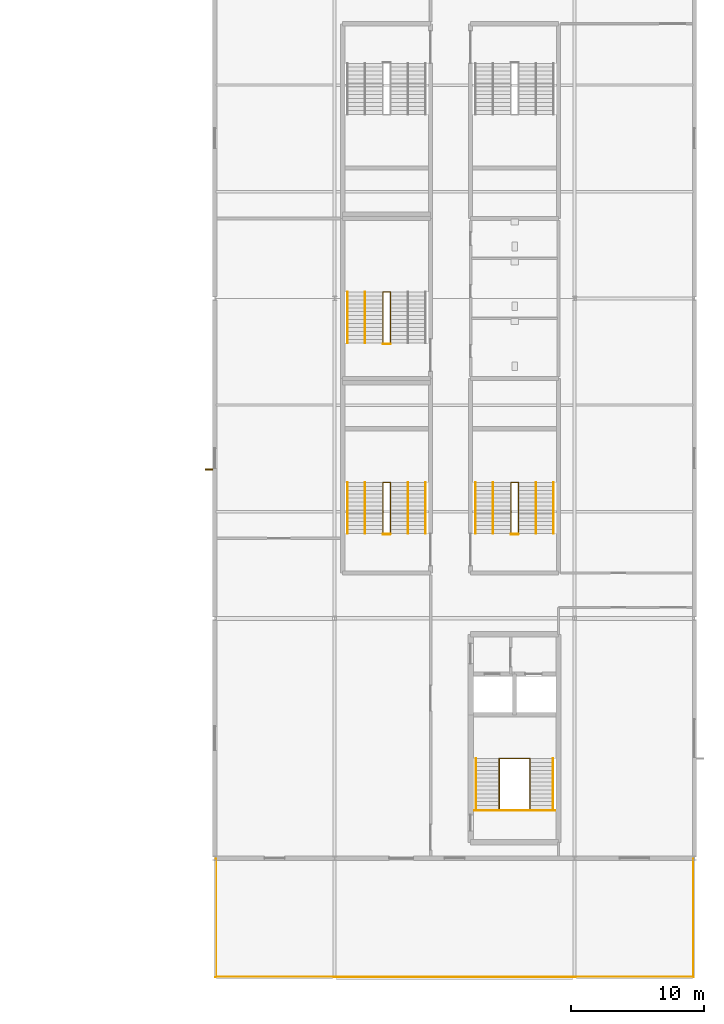
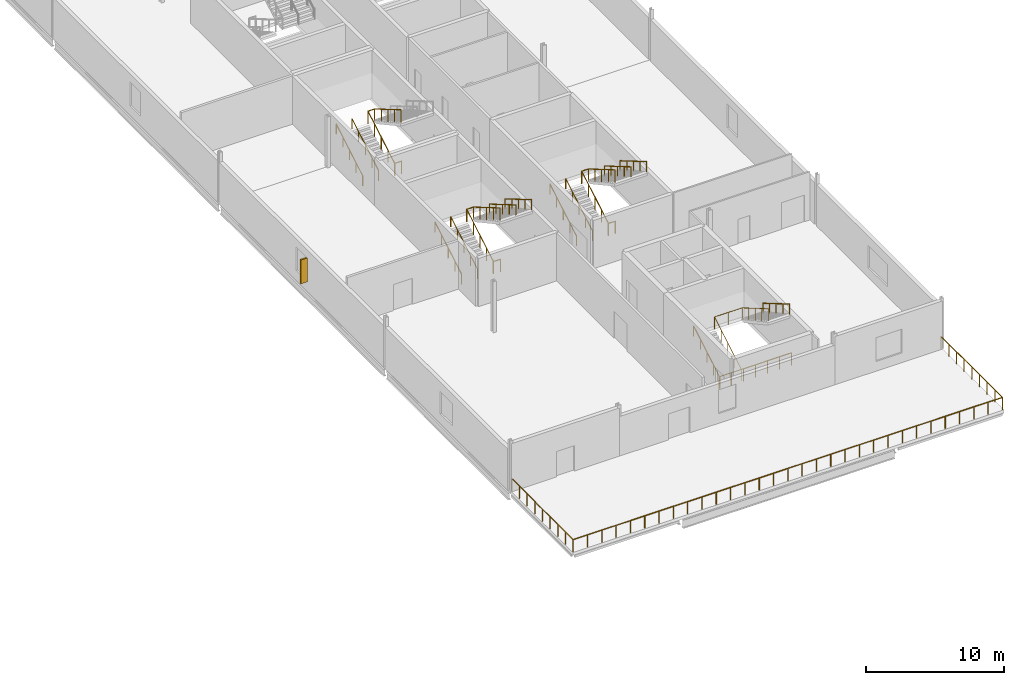
# One storey, part 25 of 28: 21 railings, 1 shading device.
"""IFC4 building model written with IfcOpenShell, lengths in metres."""

from ifc_helpers import new_model, si_unit, direction, frame, origin, origin_2d, place, context, subcontext, project, spatial, rectangle, circle, extrude, material, type_object, element, save


model = new_model("IFC4")

# Units and contexts
model_context = context("Model", 3, precision=1e-05, world=origin(), true_north=direction((0.0, 1.0)))
body_context = subcontext(model_context, "Body", "Model", "MODEL_VIEW")
ifc_project = project(units=[si_unit("LENGTHUNIT", "METRE"), si_unit("AREAUNIT", "SQUARE_METRE"), si_unit("VOLUMEUNIT", "CUBIC_METRE"), si_unit("PLANEANGLEUNIT", "RADIAN"), si_unit("MASSUNIT", "GRAM", prefix="KILO")], contexts=[model_context])

# Site, building, storey
site_placement = place(None, origin())
site = spatial("IfcSite", under=ifc_project, at=site_placement, CompositionType="ELEMENT")
building_placement = place(site_placement, origin())
building = spatial("IfcBuilding", under=site, at=building_placement, Name="Kisiwana Market Hall", CompositionType="ELEMENT")
storey_placement = place(building_placement, frame((0.0, 0.0, 49.5)))
storey = spatial("IfcBuildingStorey", under=building, at=storey_placement, Name="L11", CompositionType="ELEMENT", Elevation=49.5)

# Railings
ifc_material_1 = material(Name="Steel S275", Category="steel")
railing_type_1 = type_object("IfcRailingType", Name="RL-BALUST-1100", PredefinedType="BALUSTRADE", material=ifc_material_1)
railing_1_placement = place(storey_placement, frame((162.080078125, 17.949951171875, 0.0)))
element("IfcRailing", 1, at=railing_1_placement, inside=storey, type_object=railing_type_1, Name="L11 SE Sky Garden Guardrail 1100 RL-1704", PredefinedType="BALUSTRADE", context=body_context, shape_type="SweptSolid", body=[
    extrude(circle(Radius=0.02392578125, at=origin_2d()), frame((0.0, 0.0, 1.076171875), z_axis=(0.0, -1.0, 0.0), x_axis=(1.0, 0.0, 0.0)), (0.0, 0.0, 1.0), 8.869873046875),
    extrude(circle(Radius=0.02392578125, at=origin_2d()), frame((0.0, -8.869873046875, 1.076171875), z_axis=(1.0, 0.0, 0.0), x_axis=(0.0, 1.0, 0.0)), (0.0, 0.0, 1.0), 35.83984375),
    extrude(circle(Radius=0.02392578125, at=origin_2d()), frame((35.83984375, -8.869873046875, 1.076171875), z_axis=(0.0, 1.0, 0.0), x_axis=(-1.0, 0.0, 0.0)), (0.0, 0.0, 1.0), 8.869873046875),
    extrude(circle(Radius=0.02099609375, at=origin_2d()), origin(), (0.0, 0.0, 1.0), 1.052001953125),
    extrude(circle(Radius=0.02099609375, at=origin_2d()), frame((0.0, -1.108642578125, 0.0)), (0.0, 0.0, 1.0), 1.052001953125),
    extrude(circle(Radius=0.02099609375, at=origin_2d()), frame((0.0, -2.217529296875, 0.0)), (0.0, 0.0, 1.0), 1.052001953125),
    extrude(circle(Radius=0.02099609375, at=origin_2d()), frame((0.0, -3.326171875, 0.0)), (0.0, 0.0, 1.0), 1.052001953125),
    extrude(circle(Radius=0.02099609375, at=origin_2d()), frame((0.0, -4.43505859375, 0.0)), (0.0, 0.0, 1.0), 1.052001953125),
    extrude(circle(Radius=0.02099609375, at=origin_2d()), frame((0.0, -5.543701171875, 0.0)), (0.0, 0.0, 1.0), 1.052001953125),
    extrude(circle(Radius=0.02099609375, at=origin_2d()), frame((0.0, -6.65234375, 0.0)), (0.0, 0.0, 1.0), 1.052001953125),
    extrude(circle(Radius=0.02099609375, at=origin_2d()), frame((0.0, -7.76123046875, 0.0)), (0.0, 0.0, 1.0), 1.052001953125),
    extrude(circle(Radius=0.02099609375, at=origin_2d()), frame((0.0, -8.869873046875, 0.0)), (0.0, 0.0, 1.0), 1.052001953125),
    extrude(circle(Radius=0.02099609375, at=origin_2d()), frame((1.194580078125, -8.869873046875, 0.0)), (0.0, 0.0, 1.0), 1.052001953125),
    extrude(circle(Radius=0.02099609375, at=origin_2d()), frame((2.389404296875, -8.869873046875, 0.0)), (0.0, 0.0, 1.0), 1.052001953125),
    extrude(circle(Radius=0.02099609375, at=origin_2d()), frame((3.583984375, -8.869873046875, 0.0)), (0.0, 0.0, 1.0), 1.052001953125),
    extrude(circle(Radius=0.02099609375, at=origin_2d()), frame((4.778564453125, -8.869873046875, 0.0)), (0.0, 0.0, 1.0), 1.052001953125),
    extrude(circle(Radius=0.02099609375, at=origin_2d()), frame((5.973388671875, -8.869873046875, 0.0)), (0.0, 0.0, 1.0), 1.052001953125),
    extrude(circle(Radius=0.02099609375, at=origin_2d()), frame((7.16796875, -8.869873046875, 0.0)), (0.0, 0.0, 1.0), 1.052001953125),
    extrude(circle(Radius=0.02099609375, at=origin_2d()), frame((8.362548828125, -8.869873046875, 0.0)), (0.0, 0.0, 1.0), 1.052001953125),
    extrude(circle(Radius=0.02099609375, at=origin_2d()), frame((9.557373046875, -8.869873046875, 0.0)), (0.0, 0.0, 1.0), 1.052001953125),
    extrude(circle(Radius=0.02099609375, at=origin_2d()), frame((10.751953125, -8.869873046875, 0.0)), (0.0, 0.0, 1.0), 1.052001953125),
    extrude(circle(Radius=0.02099609375, at=origin_2d()), frame((11.946533203125, -8.869873046875, 0.0)), (0.0, 0.0, 1.0), 1.052001953125),
    extrude(circle(Radius=0.02099609375, at=origin_2d()), frame((13.141357421875, -8.869873046875, 0.0)), (0.0, 0.0, 1.0), 1.052001953125),
    extrude(circle(Radius=0.02099609375, at=origin_2d()), frame((14.3359375, -8.869873046875, 0.0)), (0.0, 0.0, 1.0), 1.052001953125),
    extrude(circle(Radius=0.02099609375, at=origin_2d()), frame((15.530517578125, -8.869873046875, 0.0)), (0.0, 0.0, 1.0), 1.052001953125),
    extrude(circle(Radius=0.02099609375, at=origin_2d()), frame((16.725341796875, -8.869873046875, 0.0)), (0.0, 0.0, 1.0), 1.052001953125),
    extrude(circle(Radius=0.02099609375, at=origin_2d()), frame((17.919921875, -8.869873046875, 0.0)), (0.0, 0.0, 1.0), 1.052001953125),
    extrude(circle(Radius=0.02099609375, at=origin_2d()), frame((19.114501953125, -8.869873046875, 0.0)), (0.0, 0.0, 1.0), 1.052001953125),
    extrude(circle(Radius=0.02099609375, at=origin_2d()), frame((20.309326171875, -8.869873046875, 0.0)), (0.0, 0.0, 1.0), 1.052001953125),
    extrude(circle(Radius=0.02099609375, at=origin_2d()), frame((21.50390625, -8.869873046875, 0.0)), (0.0, 0.0, 1.0), 1.052001953125),
    extrude(circle(Radius=0.02099609375, at=origin_2d()), frame((22.698486328125, -8.869873046875, 0.0)), (0.0, 0.0, 1.0), 1.052001953125),
    extrude(circle(Radius=0.02099609375, at=origin_2d()), frame((23.893310546875, -8.869873046875, 0.0)), (0.0, 0.0, 1.0), 1.052001953125),
    extrude(circle(Radius=0.02099609375, at=origin_2d()), frame((25.087890625, -8.869873046875, 0.0)), (0.0, 0.0, 1.0), 1.052001953125),
    extrude(circle(Radius=0.02099609375, at=origin_2d()), frame((26.282470703125, -8.869873046875, 0.0)), (0.0, 0.0, 1.0), 1.052001953125),
    extrude(circle(Radius=0.02099609375, at=origin_2d()), frame((27.477294921875, -8.869873046875, 0.0)), (0.0, 0.0, 1.0), 1.052001953125),
    extrude(circle(Radius=0.02099609375, at=origin_2d()), frame((28.671875, -8.869873046875, 0.0)), (0.0, 0.0, 1.0), 1.052001953125),
    extrude(circle(Radius=0.02099609375, at=origin_2d()), frame((29.866455078125, -8.869873046875, 0.0)), (0.0, 0.0, 1.0), 1.052001953125),
    extrude(circle(Radius=0.02099609375, at=origin_2d()), frame((31.061279296875, -8.869873046875, 0.0)), (0.0, 0.0, 1.0), 1.052001953125),
    extrude(circle(Radius=0.02099609375, at=origin_2d()), frame((32.255859375, -8.869873046875, 0.0)), (0.0, 0.0, 1.0), 1.052001953125),
    extrude(circle(Radius=0.02099609375, at=origin_2d()), frame((33.450439453125, -8.869873046875, 0.0)), (0.0, 0.0, 1.0), 1.052001953125),
    extrude(circle(Radius=0.02099609375, at=origin_2d()), frame((34.645263671875, -8.869873046875, 0.0)), (0.0, 0.0, 1.0), 1.052001953125),
    extrude(circle(Radius=0.02099609375, at=origin_2d()), frame((35.83984375, -8.869873046875, 0.0)), (0.0, 0.0, 1.0), 1.052001953125),
    extrude(circle(Radius=0.02099609375, at=origin_2d()), frame((35.83984375, -7.76123046875, 0.0)), (0.0, 0.0, 1.0), 1.052001953125),
    extrude(circle(Radius=0.02099609375, at=origin_2d()), frame((35.83984375, -6.65234375, 0.0)), (0.0, 0.0, 1.0), 1.052001953125),
    extrude(circle(Radius=0.02099609375, at=origin_2d()), frame((35.83984375, -5.543701171875, 0.0)), (0.0, 0.0, 1.0), 1.052001953125),
    extrude(circle(Radius=0.02099609375, at=origin_2d()), frame((35.83984375, -4.43505859375, 0.0)), (0.0, 0.0, 1.0), 1.052001953125),
    extrude(circle(Radius=0.02099609375, at=origin_2d()), frame((35.83984375, -3.326171875, 0.0)), (0.0, 0.0, 1.0), 1.052001953125),
    extrude(circle(Radius=0.02099609375, at=origin_2d()), frame((35.83984375, -2.217529296875, 0.0)), (0.0, 0.0, 1.0), 1.052001953125),
    extrude(circle(Radius=0.02099609375, at=origin_2d()), frame((35.83984375, -1.108642578125, 0.0)), (0.0, 0.0, 1.0), 1.052001953125),
    extrude(circle(Radius=0.02099609375, at=origin_2d()), frame((35.83984375, 0.0, 0.0)), (0.0, 0.0, 1.0), 1.052001953125),
])
ifc_material_2 = material(Name="Steel S275", Category="steel")
railing_type_2 = type_object("IfcRailingType", Name="RL-GUARD-1100", PredefinedType="GUARDRAIL", material=ifc_material_2)
railing_2_placement = place(storey_placement, frame((183.35009765625, 21.6494140625, 0.0)))
element("IfcRailing", 2, at=railing_2_placement, inside=storey, type_object=railing_type_2, Name="Stair ST-E2-L11 inner-well guardrail (RL-1367)", PredefinedType="GUARDRAIL", context=body_context, shape_type="SweptSolid", body=[
    extrude(circle(Radius=0.02392578125, at=origin_2d()), frame((0.0, 0.0, 1.076171875), z_axis=(0.0, 0.86252362769, 0.506016789916), x_axis=(-1.0, 0.0, 0.0)), (0.0, 0.0, 1.0), 4.446533203125),
    extrude(circle(Radius=0.02392578125, at=origin_2d()), frame((0.0, 3.835205078125, 3.326171875), z_axis=(1.0, 0.0, 0.0), x_axis=(0.0, 1.0, 0.0)), (0.0, 0.0, 1.0), 2.2998046875),
    extrude(circle(Radius=0.02392578125, at=origin_2d()), frame((2.2998046875, 3.835205078125, 3.326171875), z_axis=(0.0, -0.86252362769, 0.506016789916), x_axis=(1.0, 0.0, 0.0)), (0.0, 0.0, 1.0), 4.446533203125),
    extrude(circle(Radius=0.02099609375, at=origin_2d()), origin(), (0.0, 0.0, 1.0), 1.052001953125),
    extrude(circle(Radius=0.02099609375, at=origin_2d()), frame((0.0, 0.958740234375, 0.5625)), (0.0, 0.0, 1.0), 1.052001953125),
    extrude(circle(Radius=0.02099609375, at=origin_2d()), frame((0.0, 1.91748046875, 1.125)), (0.0, 0.0, 1.0), 1.052001953125),
    extrude(circle(Radius=0.02099609375, at=origin_2d()), frame((0.0, 2.87646484375, 1.6875)), (0.0, 0.0, 1.0), 1.052001953125),
    extrude(circle(Radius=0.02099609375, at=origin_2d()), frame((0.0, 3.835205078125, 2.25)), (0.0, 0.0, 1.0), 1.052001953125),
    extrude(circle(Radius=0.02099609375, at=origin_2d()), frame((1.14990234375, 3.835205078125, 2.25)), (0.0, 0.0, 1.0), 1.052001953125),
    extrude(circle(Radius=0.02099609375, at=origin_2d()), frame((2.2998046875, 3.835205078125, 2.25)), (0.0, 0.0, 1.0), 1.052001953125),
    extrude(circle(Radius=0.02099609375, at=origin_2d()), frame((2.2998046875, 2.87646484375, 2.8125)), (0.0, 0.0, 1.0), 1.052001953125),
    extrude(circle(Radius=0.02099609375, at=origin_2d()), frame((2.2998046875, 1.91748046875, 3.375)), (0.0, 0.0, 1.0), 1.052001953125),
    extrude(circle(Radius=0.02099609375, at=origin_2d()), frame((2.2998046875, 0.958740234375, 3.9375)), (0.0, 0.0, 1.0), 1.052001953125),
    extrude(circle(Radius=0.02099609375, at=origin_2d()), frame((2.2998046875, 0.0, 4.5)), (0.0, 0.0, 1.0), 1.052001953125),
])
railing_3_placement = place(storey_placement, frame((181.47998046875, 21.569580078125, 0.0)))
element("IfcRailing", 3, at=railing_3_placement, inside=storey, type_object=railing_type_2, Name="Stair ST-E2-L11 landing edge guardrail (RL-1370)", PredefinedType="GUARDRAIL", context=body_context, shape_type="SweptSolid", body=[
    extrude(circle(Radius=0.02392578125, at=origin_2d()), frame((0.0, 0.0, 1.076171875), z_axis=(1.0, 0.0, 0.0), x_axis=(0.0, 1.0, 0.0)), (0.0, 0.0, 1.0), 6.0400390625),
    extrude(circle(Radius=0.02099609375, at=origin_2d()), origin(), (0.0, 0.0, 1.0), 1.052001953125),
    extrude(circle(Radius=0.02099609375, at=origin_2d()), frame((1.006591796875, 0.0, 0.0)), (0.0, 0.0, 1.0), 1.052001953125),
    extrude(circle(Radius=0.02099609375, at=origin_2d()), frame((2.013427734375, 0.0, 0.0)), (0.0, 0.0, 1.0), 1.052001953125),
    extrude(circle(Radius=0.02099609375, at=origin_2d()), frame((3.02001953125, 0.0, 0.0)), (0.0, 0.0, 1.0), 1.052001953125),
    extrude(circle(Radius=0.02099609375, at=origin_2d()), frame((4.026611328125, 0.0, 0.0)), (0.0, 0.0, 1.0), 1.052001953125),
    extrude(circle(Radius=0.02099609375, at=origin_2d()), frame((5.033447265625, 0.0, 0.0)), (0.0, 0.0, 1.0), 1.052001953125),
    extrude(circle(Radius=0.02099609375, at=origin_2d()), frame((6.0400390625, 0.0, 0.0)), (0.0, 0.0, 1.0), 1.052001953125),
])
railing_4_placement = place(storey_placement, frame((184.219970703125, 42.360107421875, 0.0)))
element("IfcRailing", 4, at=railing_4_placement, inside=storey, type_object=railing_type_2, Name="Stair ST-E3-L11 inner-well guardrail (RL-1387)", PredefinedType="GUARDRAIL", context=body_context, shape_type="SweptSolid", body=[
    extrude(circle(Radius=0.02392578125, at=origin_2d()), frame((0.0, 0.0, 1.076171875), z_axis=(0.0, 0.86250956776, 0.506040754805), x_axis=(-1.0, 0.0, 0.0)), (0.0, 0.0, 1.0), 4.4462890625),
    extrude(circle(Radius=0.02392578125, at=origin_2d()), frame((0.0, 3.8349609375, 3.326171875), z_axis=(1.0, 0.0, 0.0), x_axis=(0.0, 1.0, 0.0)), (0.0, 0.0, 1.0), 0.56005859375),
    extrude(circle(Radius=0.02392578125, at=origin_2d()), frame((0.56005859375, 3.8349609375, 3.326171875), z_axis=(0.0, -0.86250956776, 0.506040754805), x_axis=(1.0, 0.0, 0.0)), (0.0, 0.0, 1.0), 4.4462890625),
    extrude(circle(Radius=0.02099609375, at=origin_2d()), origin(), (0.0, 0.0, 1.0), 1.052001953125),
    extrude(circle(Radius=0.02099609375, at=origin_2d()), frame((0.0, 0.958740234375, 0.5625)), (0.0, 0.0, 1.0), 1.052001953125),
    extrude(circle(Radius=0.02099609375, at=origin_2d()), frame((0.0, 1.91748046875, 1.125)), (0.0, 0.0, 1.0), 1.052001953125),
    extrude(circle(Radius=0.02099609375, at=origin_2d()), frame((0.0, 2.876220703125, 1.6875)), (0.0, 0.0, 1.0), 1.052001953125),
    extrude(circle(Radius=0.02099609375, at=origin_2d()), frame((0.0, 3.8349609375, 2.25)), (0.0, 0.0, 1.0), 1.052001953125),
    extrude(circle(Radius=0.02099609375, at=origin_2d()), frame((0.56005859375, 3.8349609375, 2.25)), (0.0, 0.0, 1.0), 1.052001953125),
    extrude(circle(Radius=0.02099609375, at=origin_2d()), frame((0.56005859375, 2.876220703125, 2.8125)), (0.0, 0.0, 1.0), 1.052001953125),
    extrude(circle(Radius=0.02099609375, at=origin_2d()), frame((0.56005859375, 1.91748046875, 3.375)), (0.0, 0.0, 1.0), 1.052001953125),
    extrude(circle(Radius=0.02099609375, at=origin_2d()), frame((0.56005859375, 0.958740234375, 3.9375)), (0.0, 0.0, 1.0), 1.052001953125),
    extrude(circle(Radius=0.02099609375, at=origin_2d()), frame((0.56005859375, 0.0, 4.5)), (0.0, 0.0, 1.0), 1.052001953125),
])
railing_5_placement = place(storey_placement, frame((184.219970703125, 42.31005859375, 0.0)))
element("IfcRailing", 5, at=railing_5_placement, inside=storey, type_object=railing_type_2, Name="Stair ST-E3-L11 landing edge guardrail (RL-1392)", PredefinedType="GUARDRAIL", context=body_context, shape_type="SweptSolid", body=[
    extrude(circle(Radius=0.02392578125, at=origin_2d()), frame((0.0, 0.0, 1.076171875), z_axis=(1.0, 0.0, 0.0), x_axis=(0.0, 1.0, 0.0)), (0.0, 0.0, 1.0), 0.56005859375),
    extrude(circle(Radius=0.02099609375, at=origin_2d()), origin(), (0.0, 0.0, 1.0), 1.052001953125),
    extrude(circle(Radius=0.02099609375, at=origin_2d()), frame((0.56005859375, 0.0, 0.0)), (0.0, 0.0, 1.0), 1.052001953125),
])
railing_6_placement = place(storey_placement, frame((174.6201171875, 42.360107421875, 0.0)))
element("IfcRailing", 6, at=railing_6_placement, inside=storey, type_object=railing_type_2, Name="Stair ST-E7-L11 inner-well guardrail (RL-1405)", PredefinedType="GUARDRAIL", context=body_context, shape_type="SweptSolid", body=[
    extrude(circle(Radius=0.02392578125, at=origin_2d()), frame((0.0, 0.0, 1.076171875), z_axis=(0.0, 0.86250956776, 0.506040754805), x_axis=(-1.0, 0.0, 0.0)), (0.0, 0.0, 1.0), 4.4462890625),
    extrude(circle(Radius=0.02392578125, at=origin_2d()), frame((0.0, 3.8349609375, 3.326171875), z_axis=(1.0, 0.0, 0.0), x_axis=(0.0, 1.0, 0.0)), (0.0, 0.0, 1.0), 0.559814453125),
    extrude(circle(Radius=0.02392578125, at=origin_2d()), frame((0.559814453125, 3.8349609375, 3.326171875), z_axis=(0.0, -0.86250956776, 0.506040754805), x_axis=(1.0, 0.0, 0.0)), (0.0, 0.0, 1.0), 4.4462890625),
    extrude(circle(Radius=0.02099609375, at=origin_2d()), origin(), (0.0, 0.0, 1.0), 1.052001953125),
    extrude(circle(Radius=0.02099609375, at=origin_2d()), frame((0.0, 0.958740234375, 0.5625)), (0.0, 0.0, 1.0), 1.052001953125),
    extrude(circle(Radius=0.02099609375, at=origin_2d()), frame((0.0, 1.91748046875, 1.125)), (0.0, 0.0, 1.0), 1.052001953125),
    extrude(circle(Radius=0.02099609375, at=origin_2d()), frame((0.0, 2.876220703125, 1.6875)), (0.0, 0.0, 1.0), 1.052001953125),
    extrude(circle(Radius=0.02099609375, at=origin_2d()), frame((0.0, 3.8349609375, 2.25)), (0.0, 0.0, 1.0), 1.052001953125),
    extrude(circle(Radius=0.02099609375, at=origin_2d()), frame((0.559814453125, 3.8349609375, 2.25)), (0.0, 0.0, 1.0), 1.052001953125),
    extrude(circle(Radius=0.02099609375, at=origin_2d()), frame((0.559814453125, 2.876220703125, 2.8125)), (0.0, 0.0, 1.0), 1.052001953125),
    extrude(circle(Radius=0.02099609375, at=origin_2d()), frame((0.559814453125, 1.91748046875, 3.375)), (0.0, 0.0, 1.0), 1.052001953125),
    extrude(circle(Radius=0.02099609375, at=origin_2d()), frame((0.559814453125, 0.958740234375, 3.9375)), (0.0, 0.0, 1.0), 1.052001953125),
    extrude(circle(Radius=0.02099609375, at=origin_2d()), frame((0.559814453125, 0.0, 4.5)), (0.0, 0.0, 1.0), 1.052001953125),
])
railing_7_placement = place(storey_placement, frame((174.6201171875, 42.31005859375, 0.0)))
element("IfcRailing", 7, at=railing_7_placement, inside=storey, type_object=railing_type_2, Name="Stair ST-E7-L11 landing edge guardrail (RL-1410)", PredefinedType="GUARDRAIL", context=body_context, shape_type="SweptSolid", body=[
    extrude(circle(Radius=0.02392578125, at=origin_2d()), frame((0.0, 0.0, 1.076171875), z_axis=(1.0, 0.0, 0.0), x_axis=(0.0, 1.0, 0.0)), (0.0, 0.0, 1.0), 0.559814453125),
    extrude(circle(Radius=0.02099609375, at=origin_2d()), origin(), (0.0, 0.0, 1.0), 1.052001953125),
    extrude(circle(Radius=0.02099609375, at=origin_2d()), frame((0.559814453125, 0.0, 0.0)), (0.0, 0.0, 1.0), 1.052001953125),
])
railing_8_placement = place(storey_placement, frame((174.6201171875, 56.639892578125, 0.0)))
element("IfcRailing", 8, at=railing_8_placement, inside=storey, type_object=railing_type_2, Name="Stair ST-E5-L11 inner-well guardrail (RL-1429)", PredefinedType="GUARDRAIL", context=body_context, shape_type="SweptSolid", body=[
    extrude(circle(Radius=0.02392578125, at=origin_2d()), frame((0.0, 0.0, 1.076171875), z_axis=(0.0, 0.86252362769, 0.506016789916), x_axis=(-1.0, 0.0, 0.0)), (0.0, 0.0, 1.0), 4.446533203125),
    extrude(circle(Radius=0.02392578125, at=origin_2d()), frame((0.0, 3.835205078125, 3.326171875), z_axis=(1.0, 0.0, 0.0), x_axis=(0.0, 1.0, 0.0)), (0.0, 0.0, 1.0), 0.559814453125),
    extrude(circle(Radius=0.02392578125, at=origin_2d()), frame((0.559814453125, 3.835205078125, 3.326171875), z_axis=(0.0, -0.86252362769, 0.506016789916), x_axis=(1.0, 0.0, 0.0)), (0.0, 0.0, 1.0), 4.446533203125),
    extrude(circle(Radius=0.02099609375, at=origin_2d()), origin(), (0.0, 0.0, 1.0), 1.052001953125),
    extrude(circle(Radius=0.02099609375, at=origin_2d()), frame((0.0, 0.958740234375, 0.5625)), (0.0, 0.0, 1.0), 1.052001953125),
    extrude(circle(Radius=0.02099609375, at=origin_2d()), frame((0.0, 1.91748046875, 1.125)), (0.0, 0.0, 1.0), 1.052001953125),
    extrude(circle(Radius=0.02099609375, at=origin_2d()), frame((0.0, 2.87646484375, 1.6875)), (0.0, 0.0, 1.0), 1.052001953125),
    extrude(circle(Radius=0.02099609375, at=origin_2d()), frame((0.0, 3.835205078125, 2.25)), (0.0, 0.0, 1.0), 1.052001953125),
    extrude(circle(Radius=0.02099609375, at=origin_2d()), frame((0.559814453125, 3.835205078125, 2.25)), (0.0, 0.0, 1.0), 1.052001953125),
    extrude(circle(Radius=0.02099609375, at=origin_2d()), frame((0.559814453125, 2.87646484375, 2.8125)), (0.0, 0.0, 1.0), 1.052001953125),
    extrude(circle(Radius=0.02099609375, at=origin_2d()), frame((0.559814453125, 1.91748046875, 3.375)), (0.0, 0.0, 1.0), 1.052001953125),
    extrude(circle(Radius=0.02099609375, at=origin_2d()), frame((0.559814453125, 0.958740234375, 3.9375)), (0.0, 0.0, 1.0), 1.052001953125),
    extrude(circle(Radius=0.02099609375, at=origin_2d()), frame((0.559814453125, 0.0, 4.5)), (0.0, 0.0, 1.0), 1.052001953125),
])
railing_9_placement = place(storey_placement, frame((174.6201171875, 56.590087890625, 0.0)))
element("IfcRailing", 9, at=railing_9_placement, inside=storey, type_object=railing_type_2, Name="Stair ST-E5-L11 landing edge guardrail (RL-1434)", PredefinedType="GUARDRAIL", context=body_context, shape_type="SweptSolid", body=[
    extrude(circle(Radius=0.02392578125, at=origin_2d()), frame((0.0, 0.0, 1.076171875), z_axis=(1.0, 0.0, 0.0), x_axis=(0.0, 1.0, 0.0)), (0.0, 0.0, 1.0), 0.559814453125),
    extrude(circle(Radius=0.02099609375, at=origin_2d()), origin(), (0.0, 0.0, 1.0), 1.052001953125),
    extrude(circle(Radius=0.02099609375, at=origin_2d()), frame((0.559814453125, 0.0, 0.0)), (0.0, 0.0, 1.0), 1.052001953125),
])
ifc_material_3 = material(Name="Steel S275", Category="steel")
railing_type_3 = type_object("IfcRailingType", Name="RL-HAND-900", PredefinedType="HANDRAIL", material=ifc_material_3)
railing_10_placement = place(storey_placement, frame((181.610107421875, 21.6494140625, 0.0)))
element("IfcRailing", 10, at=railing_10_placement, inside=storey, type_object=railing_type_3, Name="Stair ST-E2-L11 flight 1 handrail (RL-1368)", PredefinedType="HANDRAIL", context=body_context, shape_type="SweptSolid", body=[
    extrude(circle(Radius=0.02392578125, at=origin_2d()), frame((0.0, 0.0, 0.8759765625), z_axis=(0.0, 0.86252362769, 0.506016789916), x_axis=(-1.0, 0.0, 0.0)), (0.0, 0.0, 1.0), 4.446533203125),
    extrude(circle(Radius=0.02099609375, at=origin_2d()), origin(), (0.0, 0.0, 1.0), 0.851806640625),
    extrude(circle(Radius=0.02099609375, at=origin_2d()), frame((0.0, 0.958740234375, 0.5625)), (0.0, 0.0, 1.0), 0.851806640625),
    extrude(circle(Radius=0.02099609375, at=origin_2d()), frame((0.0, 1.91748046875, 1.125)), (0.0, 0.0, 1.0), 0.851806640625),
    extrude(circle(Radius=0.02099609375, at=origin_2d()), frame((0.0, 2.87646484375, 1.6875)), (0.0, 0.0, 1.0), 0.851806640625),
    extrude(circle(Radius=0.02099609375, at=origin_2d()), frame((0.0, 3.835205078125, 2.25)), (0.0, 0.0, 1.0), 0.851806640625),
])
railing_11_placement = place(storey_placement, frame((187.389892578125, 25.484619140625, 2.25)))
element("IfcRailing", 11, at=railing_11_placement, inside=storey, type_object=railing_type_3, Name="Stair ST-E2-L11 flight 2 handrail (RL-1369)", PredefinedType="HANDRAIL", context=body_context, shape_type="SweptSolid", body=[
    extrude(circle(Radius=0.02392578125, at=origin_2d()), frame((0.0, 0.0, 0.8759765625), z_axis=(0.0, -0.86252362769, 0.506016789916), x_axis=(1.0, 0.0, 0.0)), (0.0, 0.0, 1.0), 4.446533203125),
    extrude(circle(Radius=0.02099609375, at=origin_2d()), origin(), (0.0, 0.0, 1.0), 0.851806640625),
    extrude(circle(Radius=0.02099609375, at=origin_2d()), frame((0.0, -0.958740234375, 0.5625)), (0.0, 0.0, 1.0), 0.851806640625),
    extrude(circle(Radius=0.02099609375, at=origin_2d()), frame((0.0, -1.91748046875, 1.125)), (0.0, 0.0, 1.0), 0.851806640625),
    extrude(circle(Radius=0.02099609375, at=origin_2d()), frame((0.0, -2.87646484375, 1.6875)), (0.0, 0.0, 1.0), 0.851806640625),
    extrude(circle(Radius=0.02099609375, at=origin_2d()), frame((0.0, -3.835205078125, 2.25)), (0.0, 0.0, 1.0), 0.851806640625),
])
railing_12_placement = place(storey_placement, frame((181.570068359375, 42.360107421875, 0.0)))
element("IfcRailing", 12, at=railing_12_placement, inside=storey, type_object=railing_type_3, Name="Stair ST-E3-L11 flight 1 handrail (RL-1388)", PredefinedType="HANDRAIL", context=body_context, shape_type="SweptSolid", body=[
    extrude(circle(Radius=0.02392578125, at=origin_2d()), frame((0.0, 0.0, 0.8759765625), z_axis=(0.0, 0.86250956776, 0.506040754805), x_axis=(-1.0, 0.0, 0.0)), (0.0, 0.0, 1.0), 4.4462890625),
    extrude(circle(Radius=0.02099609375, at=origin_2d()), origin(), (0.0, 0.0, 1.0), 0.851806640625),
    extrude(circle(Radius=0.02099609375, at=origin_2d()), frame((0.0, 0.958740234375, 0.5625)), (0.0, 0.0, 1.0), 0.851806640625),
    extrude(circle(Radius=0.02099609375, at=origin_2d()), frame((0.0, 1.91748046875, 1.125)), (0.0, 0.0, 1.0), 0.851806640625),
    extrude(circle(Radius=0.02099609375, at=origin_2d()), frame((0.0, 2.876220703125, 1.6875)), (0.0, 0.0, 1.0), 0.851806640625),
    extrude(circle(Radius=0.02099609375, at=origin_2d()), frame((0.0, 3.8349609375, 2.25)), (0.0, 0.0, 1.0), 0.851806640625),
])
railing_13_placement = place(storey_placement, frame((187.429931640625, 46.195068359375, 2.25)))
element("IfcRailing", 13, at=railing_13_placement, inside=storey, type_object=railing_type_3, Name="Stair ST-E3-L11 flight 2 handrail (RL-1389)", PredefinedType="HANDRAIL", context=body_context, shape_type="SweptSolid", body=[
    extrude(circle(Radius=0.02392578125, at=origin_2d()), frame((0.0, 0.0, 0.8759765625), z_axis=(0.0, -0.86250956776, 0.506040754805), x_axis=(1.0, 0.0, 0.0)), (0.0, 0.0, 1.0), 4.4462890625),
    extrude(circle(Radius=0.02099609375, at=origin_2d()), origin(), (0.0, 0.0, 1.0), 0.851806640625),
    extrude(circle(Radius=0.02099609375, at=origin_2d()), frame((0.0, -0.958740234375, 0.5625)), (0.0, 0.0, 1.0), 0.851806640625),
    extrude(circle(Radius=0.02099609375, at=origin_2d()), frame((0.0, -1.91748046875, 1.125)), (0.0, 0.0, 1.0), 0.851806640625),
    extrude(circle(Radius=0.02099609375, at=origin_2d()), frame((0.0, -2.876220703125, 1.6875)), (0.0, 0.0, 1.0), 0.851806640625),
    extrude(circle(Radius=0.02099609375, at=origin_2d()), frame((0.0, -3.8349609375, 2.25)), (0.0, 0.0, 1.0), 0.851806640625),
])
railing_14_placement = place(storey_placement, frame((182.889892578125, 42.360107421875, 0.0)))
element("IfcRailing", 14, at=railing_14_placement, inside=storey, type_object=railing_type_3, Name="Stair ST-E3-L11 flight 1 intermediate handrail (RL-1390)", PredefinedType="HANDRAIL", context=body_context, shape_type="SweptSolid", body=[
    extrude(circle(Radius=0.02392578125, at=origin_2d()), frame((0.0, 0.0, 0.8759765625), z_axis=(0.0, 0.86250956776, 0.506040754805), x_axis=(-1.0, 0.0, 0.0)), (0.0, 0.0, 1.0), 4.4462890625),
    extrude(circle(Radius=0.02099609375, at=origin_2d()), origin(), (0.0, 0.0, 1.0), 0.851806640625),
    extrude(circle(Radius=0.02099609375, at=origin_2d()), frame((0.0, 0.958740234375, 0.5625)), (0.0, 0.0, 1.0), 0.851806640625),
    extrude(circle(Radius=0.02099609375, at=origin_2d()), frame((0.0, 1.91748046875, 1.125)), (0.0, 0.0, 1.0), 0.851806640625),
    extrude(circle(Radius=0.02099609375, at=origin_2d()), frame((0.0, 2.876220703125, 1.6875)), (0.0, 0.0, 1.0), 0.851806640625),
    extrude(circle(Radius=0.02099609375, at=origin_2d()), frame((0.0, 3.8349609375, 2.25)), (0.0, 0.0, 1.0), 0.851806640625),
])
railing_15_placement = place(storey_placement, frame((186.110107421875, 46.195068359375, 2.25)))
element("IfcRailing", 15, at=railing_15_placement, inside=storey, type_object=railing_type_3, Name="Stair ST-E3-L11 flight 2 intermediate handrail (RL-1391)", PredefinedType="HANDRAIL", context=body_context, shape_type="SweptSolid", body=[
    extrude(circle(Radius=0.02392578125, at=origin_2d()), frame((0.0, 0.0, 0.8759765625), z_axis=(0.0, -0.86250956776, 0.506040754805), x_axis=(1.0, 0.0, 0.0)), (0.0, 0.0, 1.0), 4.4462890625),
    extrude(circle(Radius=0.02099609375, at=origin_2d()), origin(), (0.0, 0.0, 1.0), 0.851806640625),
    extrude(circle(Radius=0.02099609375, at=origin_2d()), frame((0.0, -0.958740234375, 0.5625)), (0.0, 0.0, 1.0), 0.851806640625),
    extrude(circle(Radius=0.02099609375, at=origin_2d()), frame((0.0, -1.91748046875, 1.125)), (0.0, 0.0, 1.0), 0.851806640625),
    extrude(circle(Radius=0.02099609375, at=origin_2d()), frame((0.0, -2.876220703125, 1.6875)), (0.0, 0.0, 1.0), 0.851806640625),
    extrude(circle(Radius=0.02099609375, at=origin_2d()), frame((0.0, -3.8349609375, 2.25)), (0.0, 0.0, 1.0), 0.851806640625),
])
railing_16_placement = place(storey_placement, frame((171.969970703125, 42.360107421875, 0.0)))
element("IfcRailing", 16, at=railing_16_placement, inside=storey, type_object=railing_type_3, Name="Stair ST-E7-L11 flight 1 handrail (RL-1406)", PredefinedType="HANDRAIL", context=body_context, shape_type="SweptSolid", body=[
    extrude(circle(Radius=0.02392578125, at=origin_2d()), frame((0.0, 0.0, 0.8759765625), z_axis=(0.0, 0.86250956776, 0.506040754805), x_axis=(-1.0, 0.0, 0.0)), (0.0, 0.0, 1.0), 4.4462890625),
    extrude(circle(Radius=0.02099609375, at=origin_2d()), origin(), (0.0, 0.0, 1.0), 0.851806640625),
    extrude(circle(Radius=0.02099609375, at=origin_2d()), frame((0.0, 0.958740234375, 0.5625)), (0.0, 0.0, 1.0), 0.851806640625),
    extrude(circle(Radius=0.02099609375, at=origin_2d()), frame((0.0, 1.91748046875, 1.125)), (0.0, 0.0, 1.0), 0.851806640625),
    extrude(circle(Radius=0.02099609375, at=origin_2d()), frame((0.0, 2.876220703125, 1.6875)), (0.0, 0.0, 1.0), 0.851806640625),
    extrude(circle(Radius=0.02099609375, at=origin_2d()), frame((0.0, 3.8349609375, 2.25)), (0.0, 0.0, 1.0), 0.851806640625),
])
railing_17_placement = place(storey_placement, frame((177.830078125, 46.195068359375, 2.25)))
element("IfcRailing", 17, at=railing_17_placement, inside=storey, type_object=railing_type_3, Name="Stair ST-E7-L11 flight 2 handrail (RL-1407)", PredefinedType="HANDRAIL", context=body_context, shape_type="SweptSolid", body=[
    extrude(circle(Radius=0.02392578125, at=origin_2d()), frame((0.0, 0.0, 0.8759765625), z_axis=(0.0, -0.86250956776, 0.506040754805), x_axis=(1.0, 0.0, 0.0)), (0.0, 0.0, 1.0), 4.4462890625),
    extrude(circle(Radius=0.02099609375, at=origin_2d()), origin(), (0.0, 0.0, 1.0), 0.851806640625),
    extrude(circle(Radius=0.02099609375, at=origin_2d()), frame((0.0, -0.958740234375, 0.5625)), (0.0, 0.0, 1.0), 0.851806640625),
    extrude(circle(Radius=0.02099609375, at=origin_2d()), frame((0.0, -1.91748046875, 1.125)), (0.0, 0.0, 1.0), 0.851806640625),
    extrude(circle(Radius=0.02099609375, at=origin_2d()), frame((0.0, -2.876220703125, 1.6875)), (0.0, 0.0, 1.0), 0.851806640625),
    extrude(circle(Radius=0.02099609375, at=origin_2d()), frame((0.0, -3.8349609375, 2.25)), (0.0, 0.0, 1.0), 0.851806640625),
])
railing_18_placement = place(storey_placement, frame((173.2900390625, 42.360107421875, 0.0)))
element("IfcRailing", 18, at=railing_18_placement, inside=storey, type_object=railing_type_3, Name="Stair ST-E7-L11 flight 1 intermediate handrail (RL-1408)", PredefinedType="HANDRAIL", context=body_context, shape_type="SweptSolid", body=[
    extrude(circle(Radius=0.02392578125, at=origin_2d()), frame((0.0, 0.0, 0.8759765625), z_axis=(0.0, 0.86250956776, 0.506040754805), x_axis=(-1.0, 0.0, 0.0)), (0.0, 0.0, 1.0), 4.4462890625),
    extrude(circle(Radius=0.02099609375, at=origin_2d()), origin(), (0.0, 0.0, 1.0), 0.851806640625),
    extrude(circle(Radius=0.02099609375, at=origin_2d()), frame((0.0, 0.958740234375, 0.5625)), (0.0, 0.0, 1.0), 0.851806640625),
    extrude(circle(Radius=0.02099609375, at=origin_2d()), frame((0.0, 1.91748046875, 1.125)), (0.0, 0.0, 1.0), 0.851806640625),
    extrude(circle(Radius=0.02099609375, at=origin_2d()), frame((0.0, 2.876220703125, 1.6875)), (0.0, 0.0, 1.0), 0.851806640625),
    extrude(circle(Radius=0.02099609375, at=origin_2d()), frame((0.0, 3.8349609375, 2.25)), (0.0, 0.0, 1.0), 0.851806640625),
])
railing_19_placement = place(storey_placement, frame((176.510009765625, 46.195068359375, 2.25)))
element("IfcRailing", 19, at=railing_19_placement, inside=storey, type_object=railing_type_3, Name="Stair ST-E7-L11 flight 2 intermediate handrail (RL-1409)", PredefinedType="HANDRAIL", context=body_context, shape_type="SweptSolid", body=[
    extrude(circle(Radius=0.02392578125, at=origin_2d()), frame((0.0, 0.0, 0.8759765625), z_axis=(0.0, -0.86250956776, 0.506040754805), x_axis=(1.0, 0.0, 0.0)), (0.0, 0.0, 1.0), 4.4462890625),
    extrude(circle(Radius=0.02099609375, at=origin_2d()), origin(), (0.0, 0.0, 1.0), 0.851806640625),
    extrude(circle(Radius=0.02099609375, at=origin_2d()), frame((0.0, -0.958740234375, 0.5625)), (0.0, 0.0, 1.0), 0.851806640625),
    extrude(circle(Radius=0.02099609375, at=origin_2d()), frame((0.0, -1.91748046875, 1.125)), (0.0, 0.0, 1.0), 0.851806640625),
    extrude(circle(Radius=0.02099609375, at=origin_2d()), frame((0.0, -2.876220703125, 1.6875)), (0.0, 0.0, 1.0), 0.851806640625),
    extrude(circle(Radius=0.02099609375, at=origin_2d()), frame((0.0, -3.8349609375, 2.25)), (0.0, 0.0, 1.0), 0.851806640625),
])
for number, where, name in (
    (20, (171.969970703125, 56.639892578125, 0.0), "Stair ST-E5-L11 flight 1 handrail (RL-1430)"),
    (21, (173.2900390625, 56.639892578125, 0.0), "Stair ST-E5-L11 flight 1 intermediate handrail (RL-1432)"),
):
    element("IfcRailing", number, at=place(storey_placement, frame(where)), inside=storey, type_object=railing_type_3, Name=name, PredefinedType="HANDRAIL", context=body_context, shape_type="SweptSolid", body=[
        extrude(circle(Radius=0.02392578125, at=origin_2d()), frame((0.0, 0.0, 0.8759765625), z_axis=(0.0, 0.86252362769, 0.506016789916), x_axis=(-1.0, 0.0, 0.0)), (0.0, 0.0, 1.0), 4.446533203125),
        extrude(circle(Radius=0.02099609375, at=origin_2d()), origin(), (0.0, 0.0, 1.0), 0.851806640625),
        extrude(circle(Radius=0.02099609375, at=origin_2d()), frame((0.0, 0.958740234375, 0.5625)), (0.0, 0.0, 1.0), 0.851806640625),
        extrude(circle(Radius=0.02099609375, at=origin_2d()), frame((0.0, 1.91748046875, 1.125)), (0.0, 0.0, 1.0), 0.851806640625),
        extrude(circle(Radius=0.02099609375, at=origin_2d()), frame((0.0, 2.87646484375, 1.6875)), (0.0, 0.0, 1.0), 0.851806640625),
        extrude(circle(Radius=0.02099609375, at=origin_2d()), frame((0.0, 3.835205078125, 2.25)), (0.0, 0.0, 1.0), 0.851806640625),
    ])

# Shading device
ifc_material_4 = material(Name="Aluminium alloy 6063-T6", Category="aluminium")
shading_device_type = type_object("IfcShadingDeviceType", Name="SHD-SHUTTER-V", PredefinedType="SHUTTER", material=ifc_material_4)
shading_device_placement = place(storey_placement, frame((161.5673828125, 47.169921875, 0.849853515625), z_axis=(0.0, 0.0, 1.0), x_axis=(0.0, 1.0, 0.0)))
element("IfcShadingDevice", 22, at=shading_device_placement, inside=storey, type_object=shading_device_type, Name="Vertical solar fin SHD-208 SD-207", PredefinedType="SHUTTER", context=body_context, shape_type="SweptSolid", body=[
    extrude(rectangle(XDim=0.1201171875, YDim=0.550048828125, at=origin_2d()), origin(), (0.0, 0.0, 1.0), 2.10009765625),
])

save(model, "model.ifc")
